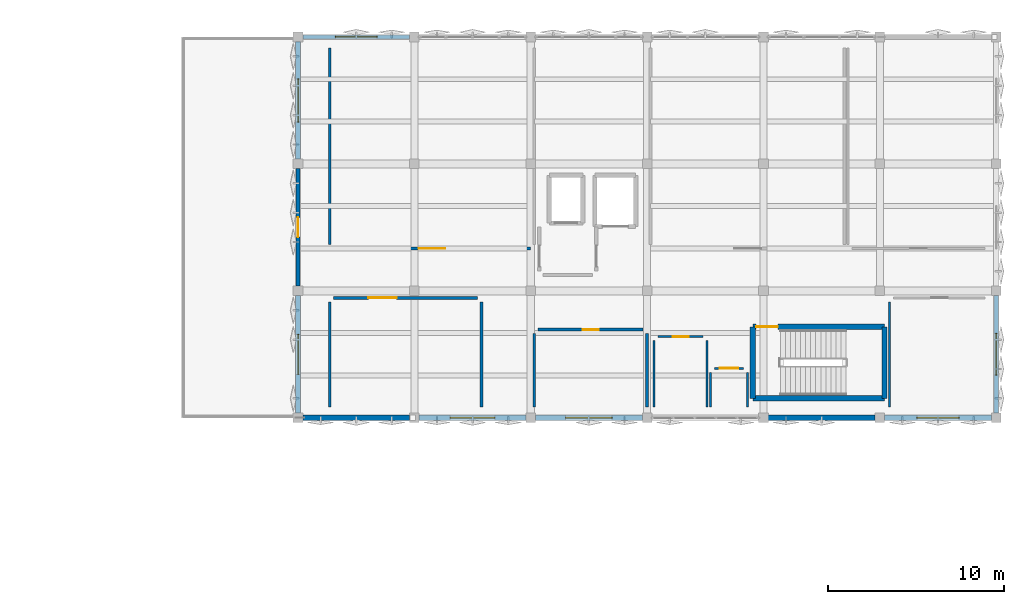
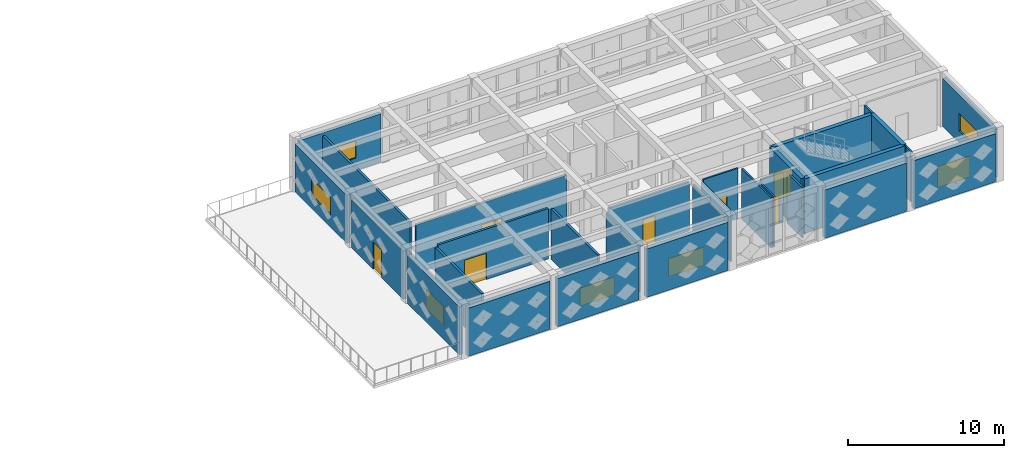
# One storey, part 31 of 39: 29 walls, 7 doors, 7 windows, 14 openings.
"""IFC4 building model written with IfcOpenShell, lengths in metres."""

from ifc_helpers import new_model, si_unit, direction, frame, frame_2d, origin, place, context, subcontext, project, spatial, rectangle, extrude, material, layer, layer_set, type_object, element, fill, save


model = new_model("IFC4")

# Units and contexts
model_context = context("Model", 3, precision=1e-05, world=origin(), true_north=direction((0.0, 1.0)))
body_context = subcontext(model_context, "Body", "Model", "MODEL_VIEW")
ifc_project = project(units=[si_unit("LENGTHUNIT", "METRE"), si_unit("AREAUNIT", "SQUARE_METRE"), si_unit("VOLUMEUNIT", "CUBIC_METRE"), si_unit("PLANEANGLEUNIT", "RADIAN"), si_unit("MASSUNIT", "GRAM", prefix="KILO")], contexts=[model_context])

# Site, building, storey
site_placement = place(None, origin())
site = spatial("IfcSite", under=ifc_project, at=site_placement, CompositionType="ELEMENT")
building_placement = place(site_placement, origin())
building = spatial("IfcBuilding", under=site, at=building_placement, Name="Kharisveld Research Institute", CompositionType="ELEMENT")
storey_placement = place(building_placement, frame((0.0, 0.0, 23.10009765625)))
storey = spatial("IfcBuildingStorey", under=building, at=storey_placement, Name="L05", CompositionType="ELEMENT", Elevation=23.10009765625)

# Wall
ifc_material_1 = material(Name="Concrete C40/50", Category="concrete")
ifc_layer_1 = layer(ifc_material_1, 0.300048828125)
ifc_layer_set_1 = layer_set([ifc_layer_1], Name="WL_CORE_300")
wall_type_1 = type_object("IfcWallType", Name="WL_CORE_300", PredefinedType="SHEAR", material=ifc_layer_set_1)
wall_1_placement = place(storey_placement, frame((147.0, 40.300048828125, 0.0), z_axis=(0.0, 0.0, 1.0), x_axis=(0.0, 1.0, 0.0)))
element("IfcWall", 1, at=wall_1_placement, inside=storey, type_object=wall_type_1, Name="WL:STR:ST3:L05:W", PredefinedType="SHEAR", context=body_context, shape_type="SweptSolid", body=[
    extrude(rectangle(XDim=4.06005859375, YDim=0.300048828125, at=frame_2d((2.030029296875, 0.0))), origin(), (0.0, 0.0, 1.0), 4.27978515625),
])

# Wall, opening, door
wall_2_placement = place(storey_placement, frame((147.0, 44.360107421875, 0.0), z_axis=(0.0, 0.0, 1.0), x_axis=(1.0, 0.0, 0.0)))
wall_2 = element("IfcWall", 2, at=wall_2_placement, inside=storey, type_object=wall_type_1, Name="WL:STR:ST3:L05:N", PredefinedType="SHEAR", context=body_context, shape_type="SweptSolid", body=[
    extrude(rectangle(XDim=7.469970703125, YDim=0.300048828125, at=frame_2d((3.73486328125, 0.0))), origin(), (0.0, 0.0, 1.0), 4.27978515625),
])
opening_1_placement = place(wall_2_placement, frame((0.179931640625, 0.0, 0.0)))
opening_1 = element("IfcOpeningElement", 3, at=opening_1_placement, cuts=wall_2, Name="Opening DS-033", PredefinedType="OPENING", context=body_context, shape_type="SweptSolid", body=[
    extrude(rectangle(XDim=1.239990234375, YDim=2.14990234375, at=frame_2d((0.6201171875, 1.074951171875))), frame((0.0, 0.14990234375, 0.0), z_axis=(0.0, -1.0, 0.0), x_axis=(1.0, 0.0, 0.0)), (0.0, 0.0, 1.0), 0.300048828125),
])
ifc_material_2 = material(Name="Flush Painted Hardwood and Anodised Aluminium", Category="wood")
door_type_1 = type_object("IfcDoorType", Name="DR_FD60_124", OperationType="NOTDEFINED", PredefinedType="DOOR", material=ifc_material_2)
door_1_placement = place(opening_1_placement, origin())
door_1 = element("IfcDoor", 4, at=door_1_placement, inside=storey, type_object=door_type_1, Name="DR:STR:ST3:L05", OperationType="SINGLE_SWING_RIGHT", OverallHeight=2.14990234375, OverallWidth=1.239990234375, PredefinedType="DOOR", context=body_context, shape_type="SweptSolid", body=[
    extrude(rectangle(XDim=1.239990234375, YDim=2.14990234375, at=frame_2d((0.6201171875, 1.074951171875))), frame((0.0, 0.02490234375, 0.0), z_axis=(0.0, -1.0, 0.0), x_axis=(1.0, 0.0, 0.0)), (0.0, 0.0, 1.0), 0.050048828125),
])
fill(opening_1, door_1)

# Walls
wall_3_placement = place(storey_placement, frame((154.469970703125, 44.360107421875, 0.0), z_axis=(0.0, 0.0, 1.0), x_axis=(0.0, -1.0, 0.0)))
element("IfcWall", 5, at=wall_3_placement, inside=storey, type_object=wall_type_1, Name="WL:STR:ST3:L05:E", PredefinedType="SHEAR", context=body_context, shape_type="SweptSolid", body=[
    extrude(rectangle(XDim=4.06005859375, YDim=0.300048828125, at=frame_2d((2.030029296875, 0.0))), origin(), (0.0, 0.0, 1.0), 4.27978515625),
])
wall_4_placement = place(storey_placement, frame((154.469970703125, 40.300048828125, 0.0), z_axis=(0.0, 0.0, 1.0), x_axis=(-1.0, 0.0, 0.0)))
element("IfcWall", 6, at=wall_4_placement, inside=storey, type_object=wall_type_1, Name="WL:STR:ST3:L05:S", PredefinedType="SHEAR", context=body_context, shape_type="SweptSolid", body=[
    extrude(rectangle(XDim=7.469970703125, YDim=0.300048828125, at=frame_2d((3.73486328125, 0.0))), origin(), (0.0, 0.0, 1.0), 4.27978515625),
])

# Wall, opening, door
ifc_material_3 = material(Name="Lightweight Acoustic Spandrel", Category="mineral")
ifc_layer_2 = layer(ifc_material_3, 0.2451171875)
ifc_layer_set_2 = layer_set([ifc_layer_2], Name="WL_EXT_245")
wall_type_2 = type_object("IfcWallType", Name="WL_EXT_245", PredefinedType="STANDARD", material=ifc_layer_set_2)
wall_5_placement = place(storey_placement, frame((121.199951171875, 46.669921875, 0.0), z_axis=(0.0, 0.0, 1.0), x_axis=(0.0, 1.0, 0.0)))
wall_5 = element("IfcWall", 7, at=wall_5_placement, inside=storey, type_object=wall_type_2, Name="WL:V2:L05:W1", PredefinedType="STANDARD", context=body_context, shape_type="SweptSolid", body=[
    extrude(rectangle(XDim=6.66015625, YDim=0.2451171875, at=frame_2d((3.330078125, 0.0))), origin(), (0.0, 0.0, 1.0), 3.77490234375),
])
opening_2_placement = place(wall_5_placement, frame((2.77001953125, 0.0, 0.0)))
opening_2 = element("IfcOpeningElement", 8, at=opening_2_placement, cuts=wall_5, Name="Opening DE-112", PredefinedType="OPENING", context=body_context, shape_type="SweptSolid", body=[
    extrude(rectangle(XDim=1.1201171875, YDim=2.14990234375, at=frame_2d((0.56005859375, 1.074951171875))), frame((0.0, 0.12255859375, 0.0), z_axis=(0.0, -1.0, 0.0), x_axis=(1.0, 0.0, 0.0)), (0.0, 0.0, 1.0), 0.2451171875),
])
ifc_material_4 = material(Name="Thermally Broken Powder-Coated Aluminium", Category="aluminium")
door_type_2 = type_object("IfcDoorType", Name="DR_EXT_112", OperationType="NOTDEFINED", PredefinedType="DOOR", material=ifc_material_4)
door_2_placement = place(opening_2_placement, origin())
door_2 = element("IfcDoor", 9, at=door_2_placement, inside=storey, type_object=door_type_2, Name="DR:V2:L05:TER_W1", OperationType="SINGLE_SWING_LEFT", OverallHeight=2.14990234375, OverallWidth=1.1201171875, PredefinedType="DOOR", context=body_context, shape_type="SweptSolid", body=[
    extrude(rectangle(XDim=1.1201171875, YDim=2.14990234375, at=frame_2d((0.56005859375, 1.074951171875))), frame((0.0, 0.02490234375, 0.0), z_axis=(0.0, -1.0, 0.0), x_axis=(1.0, 0.0, 0.0)), (0.0, 0.0, 1.0), 0.050048828125),
])
fill(opening_2, door_2)

# Wall, opening, window
wall_6_placement = place(storey_placement, frame((121.469970703125, 60.800048828125, 0.0), z_axis=(0.0, 0.0, 1.0), x_axis=(1.0, 0.0, 0.0)))
wall_6 = element("IfcWall", 10, at=wall_6_placement, inside=storey, type_object=wall_type_2, Name="WL:V2:L05:N1", PredefinedType="STANDARD", context=body_context, shape_type="SweptSolid", body=[
    extrude(rectangle(XDim=6.06005859375, YDim=0.2451171875, at=frame_2d((3.030029296875, 0.0))), origin(), (0.0, 0.0, 1.0), 3.77490234375),
])
opening_3_placement = place(wall_6_placement, frame((1.85009765625, 0.0, 0.949951171875)))
opening_3 = element("IfcOpeningElement", 11, at=opening_3_placement, cuts=wall_6, Name="Opening WN-34", PredefinedType="OPENING", context=body_context, shape_type="SweptSolid", body=[
    extrude(rectangle(XDim=2.360107421875, YDim=1.360107421875, at=frame_2d((1.18017578125, 0.68017578125))), frame((0.0, 0.12255859375, 0.0), z_axis=(0.0, -1.0, 0.0), x_axis=(1.0, 0.0, 0.0)), (0.0, 0.0, 1.0), 0.2451171875),
])
ifc_material_5 = material(Name="Low-E Double Glazing", Category="glass")
window_type_1 = type_object("IfcWindowType", Name="WN_34", PartitioningType="DOUBLE_PANEL_VERTICAL", PredefinedType="WINDOW", material=ifc_material_5)
window_1_placement = place(opening_3_placement, origin())
window_1 = element("IfcWindow", 12, at=window_1_placement, inside=storey, type_object=window_type_1, Name="WN:V2:L05:N1", OverallHeight=1.360107421875, OverallWidth=2.360107421875, PartitioningType="SINGLE_PANEL", PredefinedType="WINDOW", context=body_context, shape_type="SweptSolid", body=[
    extrude(rectangle(XDim=2.360107421875, YDim=1.360107421875, at=frame_2d((1.18017578125, 0.68017578125))), frame((0.0, 0.030029296875, 0.0), z_axis=(0.0, -1.0, 0.0), x_axis=(1.0, 0.0, 0.0)), (0.0, 0.0, 1.0), 0.06005859375),
])
fill(opening_3, window_1)

wall_7_placement = place(storey_placement, frame((160.800048828125, 46.1298828125, 0.0), z_axis=(0.0, 0.0, 1.0), x_axis=(0.0, -1.0, 0.0)))
wall_7 = element("IfcWall", 13, at=wall_7_placement, inside=storey, type_object=wall_type_2, Name="WL:V2:L05:E1", PredefinedType="STANDARD", context=body_context, shape_type="SweptSolid", body=[
    extrude(rectangle(XDim=6.659912109375, YDim=0.2451171875, at=frame_2d((3.330078125, 0.0))), origin(), (0.0, 0.0, 1.0), 3.77490234375),
])
opening_4_placement = place(wall_7_placement, frame((2.14990234375, 0.0, 0.949951171875)))
opening_4 = element("IfcOpeningElement", 14, at=opening_4_placement, cuts=wall_7, Name="Opening WN-34", PredefinedType="OPENING", context=body_context, shape_type="SweptSolid", body=[
    extrude(rectangle(XDim=2.360107421875, YDim=1.360107421875, at=frame_2d((1.18017578125, 0.68017578125))), frame((0.0, 0.12255859375, 0.0), z_axis=(0.0, -1.0, 0.0), x_axis=(1.0, 0.0, 0.0)), (0.0, 0.0, 1.0), 0.2451171875),
])
window_2_placement = place(opening_4_placement, origin())
window_2 = element("IfcWindow", 15, at=window_2_placement, inside=storey, type_object=window_type_1, Name="WN:V2:L05:E1", OverallHeight=1.360107421875, OverallWidth=2.360107421875, PartitioningType="SINGLE_PANEL", PredefinedType="WINDOW", context=body_context, shape_type="SweptSolid", body=[
    extrude(rectangle(XDim=2.360107421875, YDim=1.360107421875, at=frame_2d((1.18017578125, 0.68017578125))), frame((0.0, 0.030029296875, 0.0), z_axis=(0.0, -1.0, 0.0), x_axis=(1.0, 0.0, 0.0)), (0.0, 0.0, 1.0), 0.06005859375),
])
fill(opening_4, window_2)

ifc_material_6 = material(Name="Precast Concrete C40/50 Thermal Wall", Category="concrete")
ifc_layer_3 = layer(ifc_material_6, 0.260009765625)
ifc_layer_set_3 = layer_set([ifc_layer_3], Name="WL_EXT_260")
wall_type_3 = type_object("IfcWallType", Name="WL_EXT_260", PredefinedType="STANDARD", material=ifc_layer_set_3)
wall_8_placement = place(storey_placement, frame((121.199951171875, 39.469970703125, 0.0), z_axis=(0.0, 0.0, 1.0), x_axis=(0.0, 1.0, 0.0)))
wall_8 = element("IfcWall", 16, at=wall_8_placement, inside=storey, type_object=wall_type_3, Name="WL:V2:L05:W0", PredefinedType="STANDARD", context=body_context, shape_type="SweptSolid", body=[
    extrude(rectangle(XDim=6.659912109375, YDim=0.260009765625, at=frame_2d((3.330078125, 0.0))), origin(), (0.0, 0.0, 1.0), 3.77490234375),
])
opening_5_placement = place(wall_8_placement, frame((2.195068359375, 0.0, 0.949951171875)))
opening_5 = element("IfcOpeningElement", 17, at=opening_5_placement, cuts=wall_8, Name="Opening WN-33", PredefinedType="OPENING", context=body_context, shape_type="SweptSolid", body=[
    extrude(rectangle(XDim=2.27001953125, YDim=1.47998046875, at=frame_2d((1.135009765625, 0.739990234375))), frame((0.0, 0.1298828125, 0.0), z_axis=(0.0, -1.0, 0.0), x_axis=(1.0, 0.0, 0.0)), (0.0, 0.0, 1.0), 0.260009765625),
])
ifc_material_7 = material(Name="Low-E Double Glazing", Category="glass")
window_type_2 = type_object("IfcWindowType", Name="WN_33", PartitioningType="DOUBLE_PANEL_VERTICAL", PredefinedType="WINDOW", material=ifc_material_7)
window_3_placement = place(opening_5_placement, origin())
window_3 = element("IfcWindow", 18, at=window_3_placement, inside=storey, type_object=window_type_2, Name="WN:V2:L05:W0", OverallHeight=1.47998046875, OverallWidth=2.27001953125, PartitioningType="SINGLE_PANEL", PredefinedType="WINDOW", context=body_context, shape_type="SweptSolid", body=[
    extrude(rectangle(XDim=2.27001953125, YDim=1.47998046875, at=frame_2d((1.135009765625, 0.739990234375))), frame((0.0, 0.030029296875, 0.0), z_axis=(0.0, -1.0, 0.0), x_axis=(1.0, 0.0, 0.0)), (0.0, 0.0, 1.0), 0.06005859375),
])
fill(opening_5, window_3)

ifc_material_8 = material(Name="Precast Concrete C40/50 Thermal Wall", Category="concrete")
ifc_layer_4 = layer(ifc_material_8, 0.2900390625)
ifc_layer_set_4 = layer_set([ifc_layer_4], Name="WL_EXT_290")
wall_type_4 = type_object("IfcWallType", Name="WL_EXT_290", PredefinedType="STANDARD", material=ifc_layer_set_4)
wall_9_placement = place(storey_placement, frame((121.199951171875, 53.8701171875, 0.0), z_axis=(0.0, 0.0, 1.0), x_axis=(0.0, 1.0, 0.0)))
wall_9 = element("IfcWall", 19, at=wall_9_placement, inside=storey, type_object=wall_type_4, Name="WL:V2:L05:W2", PredefinedType="STANDARD", context=body_context, shape_type="SweptSolid", body=[
    extrude(rectangle(XDim=6.659912109375, YDim=0.2900390625, at=frame_2d((3.330078125, 0.0))), origin(), (0.0, 0.0, 1.0), 3.77490234375),
])
opening_6_placement = place(wall_9_placement, frame((2.10498046875, 0.0, 0.949951171875)))
opening_6 = element("IfcOpeningElement", 20, at=opening_6_placement, cuts=wall_9, Name="Opening WN-35", PredefinedType="OPENING", context=body_context, shape_type="SweptSolid", body=[
    extrude(rectangle(XDim=2.449951171875, YDim=1.3798828125, at=frame_2d((1.22509765625, 0.68994140625))), frame((0.0, 0.14501953125, 0.0), z_axis=(0.0, -1.0, 0.0), x_axis=(1.0, 0.0, 0.0)), (0.0, 0.0, 1.0), 0.2900390625),
])
ifc_material_9 = material(Name="Low-E Double Glazing", Category="glass")
window_type_3 = type_object("IfcWindowType", Name="WN_35", PartitioningType="DOUBLE_PANEL_VERTICAL", PredefinedType="WINDOW", material=ifc_material_9)
window_4_placement = place(opening_6_placement, origin())
window_4 = element("IfcWindow", 21, at=window_4_placement, inside=storey, type_object=window_type_3, Name="WN:V2:L05:W2", OverallHeight=1.3798828125, OverallWidth=2.449951171875, PartitioningType="SINGLE_PANEL", PredefinedType="WINDOW", context=body_context, shape_type="SweptSolid", body=[
    extrude(rectangle(XDim=2.449951171875, YDim=1.3798828125, at=frame_2d((1.22509765625, 0.68994140625))), frame((0.0, 0.030029296875, 0.0), z_axis=(0.0, -1.0, 0.0), x_axis=(1.0, 0.0, 0.0)), (0.0, 0.0, 1.0), 0.06005859375),
])
fill(opening_6, window_4)

ifc_material_10 = material(Name="Precast Concrete C40/50 Ochre Panel", Category="concrete")
ifc_layer_5 = layer(ifc_material_10, 0.304931640625)
ifc_layer_set_5 = layer_set([ifc_layer_5], Name="WL_EXT_305")
wall_type_5 = type_object("IfcWallType", Name="WL_EXT_305", PredefinedType="STANDARD", material=ifc_layer_set_5)
wall_10_placement = place(storey_placement, frame((160.530029296875, 39.199951171875, 0.0), z_axis=(0.0, 0.0, 1.0), x_axis=(-1.0, 0.0, 0.0)))
wall_10 = element("IfcWall", 22, at=wall_10_placement, inside=storey, type_object=wall_type_5, Name="WL:V2:L05:S7", PredefinedType="STANDARD", context=body_context, shape_type="SweptSolid", body=[
    extrude(rectangle(XDim=6.06005859375, YDim=0.304931640625, at=frame_2d((3.030029296875, 0.0))), origin(), (0.0, 0.0, 1.0), 3.77490234375),
])
opening_7_placement = place(wall_10_placement, frame((1.830078125, 0.0, 0.949951171875)))
opening_7 = element("IfcOpeningElement", 23, at=opening_7_placement, cuts=wall_10, Name="Opening WN-02", PredefinedType="OPENING", context=body_context, shape_type="SweptSolid", body=[
    extrude(rectangle(XDim=2.39990234375, YDim=1.64990234375, at=frame_2d((1.199951171875, 0.824951171875))), frame((0.0, 0.15234375, 0.0), z_axis=(0.0, -1.0, 0.0), x_axis=(1.0, 0.0, 0.0)), (0.0, 0.0, 1.0), 0.304931640625),
])
ifc_material_11 = material(Name="Low-E Double Glazing", Category="glass")
window_type_4 = type_object("IfcWindowType", Name="WN_02", PartitioningType="TRIPLE_PANEL_VERTICAL", PredefinedType="WINDOW", material=ifc_material_11)
window_5_placement = place(opening_7_placement, origin())
window_5 = element("IfcWindow", 24, at=window_5_placement, inside=storey, type_object=window_type_4, Name="WN:V2:L05:S7", OverallHeight=1.64990234375, OverallWidth=2.39990234375, PartitioningType="SINGLE_PANEL", PredefinedType="WINDOW", context=body_context, shape_type="SweptSolid", body=[
    extrude(rectangle(XDim=2.39990234375, YDim=1.64990234375, at=frame_2d((1.199951171875, 0.824951171875))), frame((0.0, 0.030029296875, 0.0), z_axis=(0.0, -1.0, 0.0), x_axis=(1.0, 0.0, 0.0)), (0.0, 0.0, 1.0), 0.06005859375),
])
fill(opening_7, window_5)

# Wall
wall_11_placement = place(storey_placement, frame((153.929931640625, 39.199951171875, 0.0), z_axis=(0.0, 0.0, 1.0), x_axis=(-1.0, 0.0, 0.0)))
element("IfcWall", 25, at=wall_11_placement, inside=storey, type_object=wall_type_5, Name="WL:V2:L05:S6", PredefinedType="STANDARD", context=body_context, shape_type="SweptSolid", body=[
    extrude(rectangle(XDim=6.059814453125, YDim=0.304931640625, at=frame_2d((3.02978515625, 0.0))), origin(), (0.0, 0.0, 1.0), 3.77490234375),
])

# Wall, opening, window
wall_12_placement = place(storey_placement, frame((140.72998046875, 39.199951171875, 0.0), z_axis=(0.0, 0.0, 1.0), x_axis=(-1.0, 0.0, 0.0)))
wall_12 = element("IfcWall", 26, at=wall_12_placement, inside=storey, type_object=wall_type_5, Name="WL:V2:L05:S4", PredefinedType="STANDARD", context=body_context, shape_type="SweptSolid", body=[
    extrude(rectangle(XDim=6.06005859375, YDim=0.304931640625, at=frame_2d((3.030029296875, 0.0))), origin(), (0.0, 0.0, 1.0), 3.77490234375),
])
opening_8_placement = place(wall_12_placement, frame((1.715087890625, 0.0, 0.949951171875)))
opening_8 = element("IfcOpeningElement", 27, at=opening_8_placement, cuts=wall_12, Name="Opening WN-37", PredefinedType="OPENING", context=body_context, shape_type="SweptSolid", body=[
    extrude(rectangle(XDim=2.6298828125, YDim=1.419921875, at=frame_2d((1.31494140625, 0.7099609375))), frame((0.0, 0.15234375, 0.0), z_axis=(0.0, -1.0, 0.0), x_axis=(1.0, 0.0, 0.0)), (0.0, 0.0, 1.0), 0.304931640625),
])
ifc_material_12 = material(Name="Low-E Double Glazing", Category="glass")
window_type_5 = type_object("IfcWindowType", Name="WN_37", PartitioningType="DOUBLE_PANEL_VERTICAL", PredefinedType="WINDOW", material=ifc_material_12)
window_6_placement = place(opening_8_placement, origin())
window_6 = element("IfcWindow", 28, at=window_6_placement, inside=storey, type_object=window_type_5, Name="WN:V2:L05:S4", OverallHeight=1.419921875, OverallWidth=2.6298828125, PartitioningType="SINGLE_PANEL", PredefinedType="WINDOW", context=body_context, shape_type="SweptSolid", body=[
    extrude(rectangle(XDim=2.6298828125, YDim=1.419921875, at=frame_2d((1.31494140625, 0.7099609375))), frame((0.0, 0.030029296875, 0.0), z_axis=(0.0, -1.0, 0.0), x_axis=(1.0, 0.0, 0.0)), (0.0, 0.0, 1.0), 0.06005859375),
])
fill(opening_8, window_6)

wall_13_placement = place(storey_placement, frame((134.1298828125, 39.199951171875, 0.0), z_axis=(0.0, 0.0, 1.0), x_axis=(-1.0, 0.0, 0.0)))
wall_13 = element("IfcWall", 29, at=wall_13_placement, inside=storey, type_object=wall_type_5, Name="WL:V2:L05:S3", PredefinedType="STANDARD", context=body_context, shape_type="SweptSolid", body=[
    extrude(rectangle(XDim=6.059814453125, YDim=0.304931640625, at=frame_2d((3.02978515625, 0.0))), origin(), (0.0, 0.0, 1.0), 3.77490234375),
])
opening_9_placement = place(wall_13_placement, frame((1.760009765625, 0.0, 0.949951171875)))
opening_9 = element("IfcOpeningElement", 30, at=opening_9_placement, cuts=wall_13, Name="Opening WN-36", PredefinedType="OPENING", context=body_context, shape_type="SweptSolid", body=[
    extrude(rectangle(XDim=2.5400390625, YDim=1.39990234375, at=frame_2d((1.27001953125, 0.699951171875))), frame((0.0, 0.15234375, 0.0), z_axis=(0.0, -1.0, 0.0), x_axis=(1.0, 0.0, 0.0)), (0.0, 0.0, 1.0), 0.304931640625),
])
ifc_material_13 = material(Name="Low-E Double Glazing", Category="glass")
window_type_6 = type_object("IfcWindowType", Name="WN_36", PartitioningType="DOUBLE_PANEL_VERTICAL", PredefinedType="WINDOW", material=ifc_material_13)
window_7_placement = place(opening_9_placement, origin())
window_7 = element("IfcWindow", 31, at=window_7_placement, inside=storey, type_object=window_type_6, Name="WN:V2:L05:S3", OverallHeight=1.39990234375, OverallWidth=2.5400390625, PartitioningType="SINGLE_PANEL", PredefinedType="WINDOW", context=body_context, shape_type="SweptSolid", body=[
    extrude(rectangle(XDim=2.5400390625, YDim=1.39990234375, at=frame_2d((1.27001953125, 0.699951171875))), frame((0.0, 0.030029296875, 0.0), z_axis=(0.0, -1.0, 0.0), x_axis=(1.0, 0.0, 0.0)), (0.0, 0.0, 1.0), 0.06005859375),
])
fill(opening_9, window_7)

# Wall
wall_14_placement = place(storey_placement, frame((127.530029296875, 39.199951171875, 0.0), z_axis=(0.0, 0.0, 1.0), x_axis=(-1.0, 0.0, 0.0)))
element("IfcWall", 32, at=wall_14_placement, inside=storey, type_object=wall_type_5, Name="WL:V2:L05:S2", PredefinedType="STANDARD", context=body_context, shape_type="SweptSolid", body=[
    extrude(rectangle(XDim=6.06005859375, YDim=0.304931640625, at=frame_2d((3.030029296875, 0.0))), origin(), (0.0, 0.0, 1.0), 3.77490234375),
])

# Wall, opening, door
ifc_material_14 = material(Name="Acoustic Drywall Partition", Category="mineral")
ifc_layer_6 = layer(ifc_material_14, 0.1650390625)
ifc_layer_set_6 = layer_set([ifc_layer_6], Name="WL_LAB_165")
wall_type_6 = type_object("IfcWallType", Name="WL_LAB_165", PredefinedType="PARTITIONING", material=ifc_layer_set_6)
wall_15_placement = place(storey_placement, frame((123.219970703125, 48.800048828125, 0.0), z_axis=(0.0, 0.0, 1.0), x_axis=(1.0, 0.0, 0.0)))
wall_15 = element("IfcWall", 33, at=wall_15_placement, inside=storey, type_object=wall_type_6, Name="WL:RM:V2:L05:WLA:S", PredefinedType="PARTITIONING", context=body_context, shape_type="SweptSolid", body=[
    extrude(rectangle(XDim=11.159912109375, YDim=0.1650390625, at=frame_2d((5.580078125, 0.0))), origin(), (0.0, 0.0, 1.0), 3.824951171875),
])
opening_10_placement = place(wall_15_placement, frame((4.824951171875, 0.0, 0.0)))
opening_10 = element("IfcOpeningElement", 34, at=opening_10_placement, cuts=wall_15, Name="Opening DI-237", PredefinedType="OPENING", context=body_context, shape_type="SweptSolid", body=[
    extrude(rectangle(XDim=1.510009765625, YDim=2.1201171875, at=frame_2d((0.7548828125, 1.06005859375))), frame((0.0, 0.08251953125, 0.0), z_axis=(0.0, -1.0, 0.0), x_axis=(1.0, 0.0, 0.0)), (0.0, 0.0, 1.0), 0.1650390625),
])
ifc_material_15 = material(Name="Flush Painted Hardwood and Anodised Aluminium", Category="wood")
door_type_3 = type_object("IfcDoorType", Name="DR_VAR_21", OperationType="NOTDEFINED", PredefinedType="DOOR", material=ifc_material_15)
door_3_placement = place(opening_10_placement, origin())
door_3 = element("IfcDoor", 35, at=door_3_placement, inside=storey, type_object=door_type_3, Name="DR:RM:V2:L05:WLA:S", OperationType="SINGLE_SWING_LEFT", OverallHeight=2.1201171875, OverallWidth=1.510009765625, PredefinedType="DOOR", context=body_context, shape_type="SweptSolid", body=[
    extrude(rectangle(XDim=1.510009765625, YDim=2.1201171875, at=frame_2d((0.7548828125, 1.06005859375))), frame((0.0, 0.02490234375, 0.0), z_axis=(0.0, -1.0, 0.0), x_axis=(1.0, 0.0, 0.0)), (0.0, 0.0, 1.0), 0.050048828125),
])
fill(opening_10, door_3)

# Walls
wall_16_placement = place(storey_placement, frame((123.0, 60.179931640625, 0.0), z_axis=(0.0, 0.0, 1.0), x_axis=(0.0, -1.0, 0.0)))
element("IfcWall", 36, at=wall_16_placement, inside=storey, type_object=wall_type_6, Name="WL:RM:V2:L05:WLA:W", PredefinedType="PARTITIONING", context=body_context, shape_type="SweptSolid", body=[
    extrude(rectangle(XDim=11.159912109375, YDim=0.1650390625, at=frame_2d((5.580078125, 0.0))), origin(), (0.0, 0.0, 1.0), 3.949951171875),
])
wall_17_placement = place(storey_placement, frame((131.60009765625, 39.820068359375, 0.0), z_axis=(0.0, 0.0, 1.0), x_axis=(0.0, 1.0, 0.0)))
element("IfcWall", 37, at=wall_17_placement, inside=storey, type_object=wall_type_6, Name="WL:RM:V2:L05:WLC:E", PredefinedType="PARTITIONING", context=body_context, shape_type="SweptSolid", body=[
    extrude(rectangle(XDim=5.9599609375, YDim=0.1650390625, at=frame_2d((2.97998046875, 0.0))), origin(), (0.0, 0.0, 1.0), 3.949951171875),
])

# Wall, opening, door
wall_18_placement = place(storey_placement, frame((131.3798828125, 46.0, 0.0), z_axis=(0.0, 0.0, 1.0), x_axis=(-1.0, 0.0, 0.0)))
wall_18 = element("IfcWall", 38, at=wall_18_placement, inside=storey, type_object=wall_type_6, Name="WL:RM:V2:L05:WLC:N", PredefinedType="PARTITIONING", context=body_context, shape_type="SweptSolid", body=[
    extrude(rectangle(XDim=8.159912109375, YDim=0.1650390625, at=frame_2d((4.080078125, 0.0))), origin(), (0.0, 0.0, 1.0), 3.949951171875),
])
opening_11_placement = place(wall_18_placement, frame((4.592041015625, 0.0, 0.0)))
opening_11 = element("IfcOpeningElement", 39, at=opening_11_placement, cuts=wall_18, Name="Opening DI-240", PredefinedType="OPENING", context=body_context, shape_type="SweptSolid", body=[
    extrude(rectangle(XDim=1.60009765625, YDim=2.06005859375, at=frame_2d((0.800048828125, 1.030029296875))), frame((0.0, 0.08251953125, 0.0), z_axis=(0.0, -1.0, 0.0), x_axis=(1.0, 0.0, 0.0)), (0.0, 0.0, 1.0), 0.1650390625),
])
ifc_material_16 = material(Name="Flush Painted Hardwood and Anodised Aluminium", Category="wood")
door_type_4 = type_object("IfcDoorType", Name="DR_VAR_24", OperationType="NOTDEFINED", PredefinedType="DOOR", material=ifc_material_16)
door_4_placement = place(opening_11_placement, origin())
door_4 = element("IfcDoor", 40, at=door_4_placement, inside=storey, type_object=door_type_4, Name="DR:RM:V2:L05:WLC:N", OperationType="SINGLE_SWING_RIGHT", OverallHeight=2.06005859375, OverallWidth=1.60009765625, PredefinedType="DOOR", context=body_context, shape_type="SweptSolid", body=[
    extrude(rectangle(XDim=1.60009765625, YDim=2.06005859375, at=frame_2d((0.800048828125, 1.030029296875))), frame((0.0, 0.02490234375, 0.0), z_axis=(0.0, -1.0, 0.0), x_axis=(1.0, 0.0, 0.0)), (0.0, 0.0, 1.0), 0.050048828125),
])
fill(opening_11, door_4)

# Walls
wall_19_placement = place(storey_placement, frame((123.0, 45.780029296875, 0.0), z_axis=(0.0, 0.0, 1.0), x_axis=(0.0, -1.0, 0.0)))
element("IfcWall", 41, at=wall_19_placement, inside=storey, type_object=wall_type_6, Name="WL:RM:V2:L05:WLC:W", PredefinedType="PARTITIONING", context=body_context, shape_type="SweptSolid", body=[
    extrude(rectangle(XDim=5.9599609375, YDim=0.1650390625, at=frame_2d((2.97998046875, 0.0))), origin(), (0.0, 0.0, 1.0), 3.949951171875),
])
wall_20_placement = place(storey_placement, frame((141.0, 39.820068359375, 0.0), z_axis=(0.0, 0.0, 1.0), x_axis=(0.0, 1.0, 0.0)))
element("IfcWall", 42, at=wall_20_placement, inside=storey, type_object=wall_type_6, Name="WL:RM:V2:L05:WLE:E", PredefinedType="PARTITIONING", context=body_context, shape_type="SweptSolid", body=[
    extrude(rectangle(XDim=4.159912109375, YDim=0.1650390625, at=frame_2d((2.080078125, 0.0))), origin(), (0.0, 0.0, 1.0), 3.6748046875),
])

# Wall, opening, door
wall_21_placement = place(storey_placement, frame((140.780029296875, 44.199951171875, 0.0), z_axis=(0.0, 0.0, 1.0), x_axis=(-1.0, 0.0, 0.0)))
wall_21 = element("IfcWall", 43, at=wall_21_placement, inside=storey, type_object=wall_type_6, Name="WL:RM:V2:L05:WLE:N", PredefinedType="PARTITIONING", context=body_context, shape_type="SweptSolid", body=[
    extrude(rectangle(XDim=5.9599609375, YDim=0.1650390625, at=frame_2d((2.97998046875, 0.0))), origin(), (0.0, 0.0, 1.0), 3.824951171875),
])
opening_12_placement = place(wall_21_placement, frame((2.52490234375, 0.0, 0.0)))
opening_12 = element("IfcOpeningElement", 44, at=opening_12_placement, cuts=wall_21, Name="Opening DI-241", PredefinedType="OPENING", context=body_context, shape_type="SweptSolid", body=[
    extrude(rectangle(XDim=0.909912109375, YDim=2.080078125, at=frame_2d((0.455078125, 1.0400390625))), frame((0.0, 0.08251953125, 0.0), z_axis=(0.0, -1.0, 0.0), x_axis=(1.0, 0.0, 0.0)), (0.0, 0.0, 1.0), 0.1650390625),
])
ifc_material_17 = material(Name="Flush Painted Hardwood and Anodised Aluminium", Category="wood")
door_type_5 = type_object("IfcDoorType", Name="DR_VAR_01", OperationType="NOTDEFINED", PredefinedType="DOOR", material=ifc_material_17)
door_5_placement = place(opening_12_placement, origin())
door_5 = element("IfcDoor", 45, at=door_5_placement, inside=storey, type_object=door_type_5, Name="DR:RM:V2:L05:WLE:N", OperationType="SINGLE_SWING_LEFT", OverallHeight=2.080078125, OverallWidth=0.909912109375, PredefinedType="DOOR", context=body_context, shape_type="SweptSolid", body=[
    extrude(rectangle(XDim=0.909912109375, YDim=2.080078125, at=frame_2d((0.455078125, 1.0400390625))), frame((0.0, 0.02490234375, 0.0), z_axis=(0.0, -1.0, 0.0), x_axis=(1.0, 0.0, 0.0)), (0.0, 0.0, 1.0), 0.050048828125),
])
fill(opening_12, door_5)

# Walls
wall_22_placement = place(storey_placement, frame((134.60009765625, 43.97998046875, 0.0), z_axis=(0.0, 0.0, 1.0), x_axis=(0.0, -1.0, 0.0)))
element("IfcWall", 46, at=wall_22_placement, inside=storey, type_object=wall_type_6, Name="WL:RM:V2:L05:WLE:W", PredefinedType="PARTITIONING", context=body_context, shape_type="SweptSolid", body=[
    extrude(rectangle(XDim=4.159912109375, YDim=0.1650390625, at=frame_2d((2.080078125, 0.0))), origin(), (0.0, 0.0, 1.0), 3.6748046875),
])
ifc_material_18 = material(Name="Insulated Stud Partition", Category="mineral")
ifc_layer_7 = layer(ifc_material_18, 0.125)
ifc_layer_set_7 = layer_set([ifc_layer_7], Name="WL_OFF_125")
wall_type_7 = type_object("IfcWallType", Name="WL_OFF_125", PredefinedType="PARTITIONING", material=ifc_layer_set_7)
wall_23_placement = place(storey_placement, frame((154.75, 45.780029296875, 0.0), z_axis=(0.0, 0.0, 1.0), x_axis=(0.0, -1.0, 0.0)))
element("IfcWall", 47, at=wall_23_placement, inside=storey, type_object=wall_type_7, Name="WL:RM:V2:L05:SEM:W", PredefinedType="PARTITIONING", context=body_context, shape_type="SweptSolid", body=[
    extrude(rectangle(XDim=5.9599609375, YDim=0.125, at=frame_2d((2.97998046875, 0.0))), origin(), (0.0, 0.0, 1.0), 3.949951171875),
])
ifc_material_19 = material(Name="Moisture-Resistant Partition", Category="mineral")
ifc_layer_8 = layer(ifc_material_19, 0.114990234375)
ifc_layer_set_8 = layer_set([ifc_layer_8], Name="WL_WC_115")
wall_type_8 = type_object("IfcWallType", Name="WL_WC_115", PredefinedType="PARTITIONING", material=ifc_layer_set_8)
wall_24_placement = place(storey_placement, frame((144.39990234375, 39.820068359375, 0.0), z_axis=(0.0, 0.0, 1.0), x_axis=(0.0, 1.0, 0.0)))
element("IfcWall", 48, at=wall_24_placement, inside=storey, type_object=wall_type_8, Name="WL:RM:V2:L05:WCM:E", PredefinedType="PARTITIONING", context=body_context, shape_type="SweptSolid", body=[
    extrude(rectangle(XDim=3.760009765625, YDim=0.114990234375, at=frame_2d((1.8798828125, 0.0))), origin(), (0.0, 0.0, 1.0), 3.949951171875),
])

# Wall, opening, door
wall_25_placement = place(storey_placement, frame((144.179931640625, 43.800048828125, 0.0), z_axis=(0.0, 0.0, 1.0), x_axis=(-1.0, 0.0, 0.0)))
wall_25 = element("IfcWall", 49, at=wall_25_placement, inside=storey, type_object=wall_type_8, Name="WL:RM:V2:L05:WCM:N", PredefinedType="PARTITIONING", context=body_context, shape_type="SweptSolid", body=[
    extrude(rectangle(XDim=2.559814453125, YDim=0.114990234375, at=frame_2d((1.27978515625, 0.0))), origin(), (0.0, 0.0, 1.0), 3.949951171875),
])
opening_13_placement = place(wall_25_placement, frame((0.830078125, 0.0, 0.0)))
opening_13 = element("IfcOpeningElement", 50, at=opening_13_placement, cuts=wall_25, Name="Opening DI-235", PredefinedType="OPENING", context=body_context, shape_type="SweptSolid", body=[
    extrude(rectangle(XDim=0.89990234375, YDim=2.10009765625, at=frame_2d((0.449951171875, 1.050048828125))), frame((0.0, 0.0576171875, 0.0), z_axis=(0.0, -1.0, 0.0), x_axis=(1.0, 0.0, 0.0)), (0.0, 0.0, 1.0), 0.114990234375),
])
ifc_material_20 = material(Name="Flush Painted Hardwood and Anodised Aluminium", Category="wood")
door_type_6 = type_object("IfcDoorType", Name="DR_WC_090", OperationType="NOTDEFINED", PredefinedType="DOOR", material=ifc_material_20)
door_6_placement = place(opening_13_placement, origin())
door_6 = element("IfcDoor", 51, at=door_6_placement, inside=storey, type_object=door_type_6, Name="DR:RM:V2:L05:WCM:N", OperationType="SINGLE_SWING_LEFT", OverallHeight=2.10009765625, OverallWidth=0.89990234375, PredefinedType="DOOR", context=body_context, shape_type="SweptSolid", body=[
    extrude(rectangle(XDim=0.89990234375, YDim=2.10009765625, at=frame_2d((0.449951171875, 1.050048828125))), frame((0.0, 0.02490234375, 0.0), z_axis=(0.0, -1.0, 0.0), x_axis=(1.0, 0.0, 0.0)), (0.0, 0.0, 1.0), 0.050048828125),
])
fill(opening_13, door_6)

# Walls
wall_26_placement = place(storey_placement, frame((141.39990234375, 43.580078125, 0.0), z_axis=(0.0, 0.0, 1.0), x_axis=(0.0, -1.0, 0.0)))
element("IfcWall", 52, at=wall_26_placement, inside=storey, type_object=wall_type_8, Name="WL:RM:V2:L05:WCM:W", PredefinedType="PARTITIONING", context=body_context, shape_type="SweptSolid", body=[
    extrude(rectangle(XDim=3.760009765625, YDim=0.114990234375, at=frame_2d((1.8798828125, 0.0))), origin(), (0.0, 0.0, 1.0), 3.949951171875),
])
wall_27_placement = place(storey_placement, frame((146.699951171875, 39.820068359375, 0.0), z_axis=(0.0, 0.0, 1.0), x_axis=(0.0, 1.0, 0.0)))
element("IfcWall", 53, at=wall_27_placement, inside=storey, type_object=wall_type_8, Name="WL:RM:V2:L05:WCA:E", PredefinedType="PARTITIONING", context=body_context, shape_type="SweptSolid", body=[
    extrude(rectangle(XDim=1.9599609375, YDim=0.114990234375, at=frame_2d((0.97998046875, 0.0))), origin(), (0.0, 0.0, 1.0), 3.949951171875),
])

# Wall, opening, door
wall_28_placement = place(storey_placement, frame((146.47998046875, 42.0, 0.0), z_axis=(0.0, 0.0, 1.0), x_axis=(-1.0, 0.0, 0.0)))
wall_28 = element("IfcWall", 54, at=wall_28_placement, inside=storey, type_object=wall_type_8, Name="WL:RM:V2:L05:WCA:N", PredefinedType="PARTITIONING", context=body_context, shape_type="SweptSolid", body=[
    extrude(rectangle(XDim=1.659912109375, YDim=0.114990234375, at=frame_2d((0.830078125, 0.0))), origin(), (0.0, 0.0, 1.0), 3.949951171875),
])
opening_14_placement = place(wall_28_placement, frame((0.300048828125, 0.0, 0.0)))
opening_14 = element("IfcOpeningElement", 55, at=opening_14_placement, cuts=wall_28, Name="Opening DI-236", PredefinedType="OPENING", context=body_context, shape_type="SweptSolid", body=[
    extrude(rectangle(XDim=1.06005859375, YDim=2.1201171875, at=frame_2d((0.530029296875, 1.06005859375))), frame((0.0, 0.0576171875, 0.0), z_axis=(0.0, -1.0, 0.0), x_axis=(1.0, 0.0, 0.0)), (0.0, 0.0, 1.0), 0.114990234375),
])
ifc_material_21 = material(Name="Flush Painted Hardwood and Anodised Aluminium", Category="wood")
door_type_7 = type_object("IfcDoorType", Name="DR_WCA_106", OperationType="NOTDEFINED", PredefinedType="DOOR", material=ifc_material_21)
door_7_placement = place(opening_14_placement, origin())
door_7 = element("IfcDoor", 56, at=door_7_placement, inside=storey, type_object=door_type_7, Name="DR:RM:V2:L05:WCA:N", OperationType="SINGLE_SWING_RIGHT", OverallHeight=2.1201171875, OverallWidth=1.06005859375, PredefinedType="DOOR", context=body_context, shape_type="SweptSolid", body=[
    extrude(rectangle(XDim=1.06005859375, YDim=2.1201171875, at=frame_2d((0.530029296875, 1.06005859375))), frame((0.0, 0.02490234375, 0.0), z_axis=(0.0, -1.0, 0.0), x_axis=(1.0, 0.0, 0.0)), (0.0, 0.0, 1.0), 0.050048828125),
])
fill(opening_14, door_7)

# Wall
wall_29_placement = place(storey_placement, frame((144.60009765625, 41.780029296875, 0.0), z_axis=(0.0, 0.0, 1.0), x_axis=(0.0, -1.0, 0.0)))
element("IfcWall", 57, at=wall_29_placement, inside=storey, type_object=wall_type_8, Name="WL:RM:V2:L05:WCA:W", PredefinedType="PARTITIONING", context=body_context, shape_type="SweptSolid", body=[
    extrude(rectangle(XDim=1.9599609375, YDim=0.114990234375, at=frame_2d((0.97998046875, 0.0))), origin(), (0.0, 0.0, 1.0), 3.949951171875),
])

save(model, "model.ifc")
